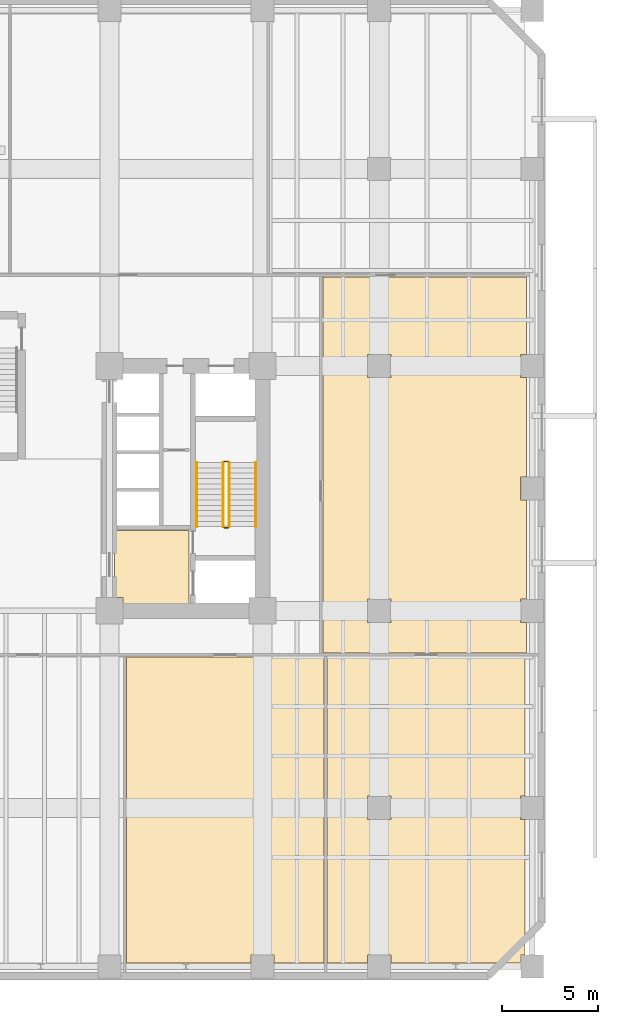
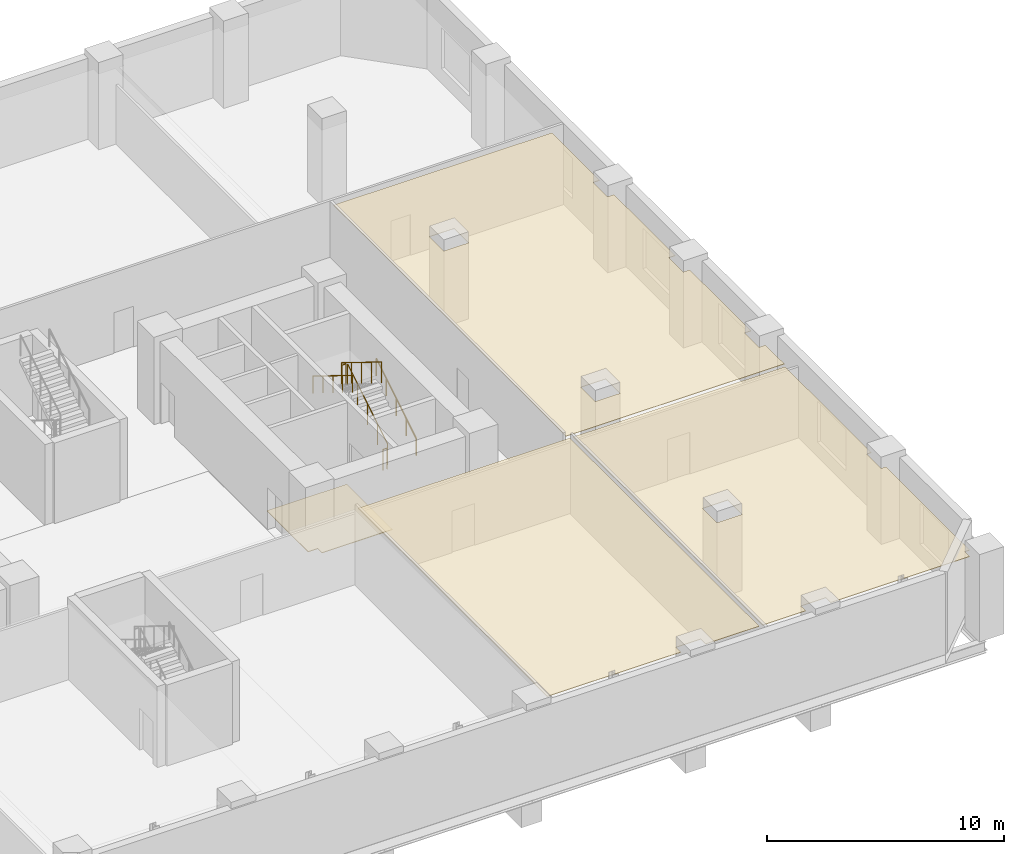
# One storey, part 12 of 15: 6 railings, 4 coverings.
"""IFC4 building model written with IfcOpenShell, lengths in metres."""

from ifc_helpers import new_model, si_unit, direction, frame, origin, origin_2d, place, context, subcontext, project, spatial, polyline, circle, outline, extrude, material, layer, layer_set, type_object, element, save


model = new_model("IFC4")

# Units and contexts
model_context = context("Model", 3, precision=1e-05, world=origin(), true_north=direction((0.0, 1.0)))
body_context = subcontext(model_context, "Body", "Model", "MODEL_VIEW")
ifc_project = project(units=[si_unit("LENGTHUNIT", "METRE"), si_unit("AREAUNIT", "SQUARE_METRE"), si_unit("VOLUMEUNIT", "CUBIC_METRE"), si_unit("PLANEANGLEUNIT", "RADIAN"), si_unit("MASSUNIT", "GRAM", prefix="KILO")], contexts=[model_context])

# Site, building, storey
site_placement = place(None, origin())
site = spatial("IfcSite", under=ifc_project, at=site_placement, CompositionType="ELEMENT")
building_placement = place(site_placement, origin())
building = spatial("IfcBuilding", under=site, at=building_placement, Name="Kranthara Brick Stack", CompositionType="ELEMENT")
storey_placement = place(building_placement, frame((0.0, 0.0, 5.39990234375)))
storey = spatial("IfcBuildingStorey", under=building, at=storey_placement, Name="L01", CompositionType="ELEMENT", Elevation=5.39990234375)

# Coverings
ifc_material_1 = material(Name="Perforated mineral-fibre acoustic ceiling tile", Category="other")
ifc_layer_1 = layer(ifc_material_1, 0.02490234375)
ifc_layer_set_1 = layer_set([ifc_layer_1], Name="Perforated mineral-fibre acoustic ceiling tile")
covering_type_1 = type_object("IfcCoveringType", Name="COV-CEIL-ACOUSTIC", PredefinedType="CEILING", material=ifc_layer_set_1)
covering_1_placement = place(storey_placement, frame((0.0, 0.0, 3.91015625)))
element("IfcCovering", 1, at=covering_1_placement, inside=storey, type_object=covering_type_1, Name="L01 Executive Seminar Room Acoustic Ceiling", PredefinedType="CEILING", context=body_context, shape_type="SweptSolid", body=[
    extrude(outline(polyline([(36.080078125, 2.39990234375), (36.080078125, 18.39990234375), (46.419921875, 18.39990234375), (46.419921875, 2.39990234375), (43.81005859375, 2.39990234375), (43.81005859375, 2.81005859375), (42.590087890625, 2.81005859375), (42.590087890625, 2.39990234375), (36.080078125, 2.39990234375)])), origin(), (0.0, 0.0, 1.0), 0.02490234375),
])
covering_2_placement = place(storey_placement, frame((0.0, 0.0, 3.91015625)))
element("IfcCovering", 2, at=covering_2_placement, inside=storey, type_object=covering_type_1, Name="L01 Tech Media Lab Acoustic Ceiling", PredefinedType="CEILING", context=body_context, shape_type="SweptSolid", body=[
    extrude(outline(polyline([(56.919921875, 11.110107421875), (56.68994140625, 11.110107421875), (56.68994140625, 9.889892578125), (56.919921875, 9.889892578125), (56.919921875, 2.81005859375), (56.68994140625, 2.81005859375), (56.68994140625, 2.39990234375), (49.909912109375, 2.39990234375), (49.909912109375, 2.81005859375), (48.68994140625, 2.81005859375), (48.68994140625, 2.39990234375), (46.580078125, 2.39990234375), (46.580078125, 18.39990234375), (56.919921875, 18.39990234375), (56.919921875, 11.110107421875)]), holes=[polyline([(49.909912109375, 11.110107421875), (48.68994140625, 11.110107421875), (48.68994140625, 9.889892578125), (49.909912109375, 9.889892578125), (49.909912109375, 11.110107421875)])]), origin(), (0.0, 0.0, 1.0), 0.02490234375),
])
covering_3_placement = place(storey_placement, frame((0.0, 0.0, 3.91015625)))
element("IfcCovering", 3, at=covering_3_placement, inside=storey, type_object=covering_type_1, Name="L01 East Perimeter Office Studio Acoustic Ceiling", PredefinedType="CEILING", context=body_context, shape_type="SweptSolid", body=[
    extrude(outline(polyline([(57.0, 34.2099609375), (56.68994140625, 34.2099609375), (56.68994140625, 32.989990234375), (57.0, 32.989990234375), (57.0, 27.81005859375), (56.68994140625, 27.81005859375), (56.68994140625, 26.590087890625), (57.0, 26.590087890625), (57.0, 21.409912109375), (56.68994140625, 21.409912109375), (56.68994140625, 20.18994140625), (57.0, 20.18994140625), (57.0, 18.60009765625), (46.35009765625, 18.60009765625), (46.35009765625, 38.25), (57.0, 38.25), (57.0, 34.2099609375)]), holes=[polyline([(48.68994140625, 21.409912109375), (48.68994140625, 20.18994140625), (49.909912109375, 20.18994140625), (49.909912109375, 21.409912109375), (48.68994140625, 21.409912109375)]), polyline([(49.909912109375, 34.2099609375), (48.68994140625, 34.2099609375), (48.68994140625, 32.989990234375), (49.909912109375, 32.989990234375), (49.909912109375, 34.2099609375)])]), origin(), (0.0, 0.0, 1.0), 0.02490234375),
])
ifc_material_2 = material(Name="Honed terrazzo and porcelain floor finish", Category="stone")
ifc_layer_2 = layer(ifc_material_2, 0.030029296875)
ifc_layer_set_2 = layer_set([ifc_layer_2], Name="Honed terrazzo and porcelain floor finish")
covering_type_2 = type_object("IfcCoveringType", Name="COV-FLOR-STONE", PredefinedType="FLOORING", material=ifc_layer_set_2)
covering_4_placement = place(storey_placement, origin())
element("IfcCovering", 4, at=covering_4_placement, inside=storey, type_object=covering_type_2, Name="L01 Lift Lobby Stone Flooring", PredefinedType="FLOORING", context=body_context, shape_type="SweptSolid", body=[
    extrude(outline(polyline([(35.449951171875, 25.0), (39.35009765625, 25.0), (39.35009765625, 21.14990234375), (35.909912109375, 21.14990234375), (35.909912109375, 21.510009765625), (35.449951171875, 21.510009765625), (35.449951171875, 25.0)])), origin(), (0.0, 0.0, 1.0), 0.030029296875),
])

# Railings
ifc_material_3 = material(Name="Painted galvanized steel stair guardrail", Category="steel")
railing_type_1 = type_object("IfcRailingType", Name="RL-STAIR-GUARD-1100", PredefinedType="GUARDRAIL", material=ifc_material_3)
railing_1_placement = place(storey_placement, frame((41.449951171875, 25.199951171875, 0.173095703125)))
element("IfcRailing", 5, at=railing_1_placement, inside=storey, type_object=railing_type_1, Name="L01 ST02 stair guard 1", PredefinedType="GUARDRAIL", context=body_context, shape_type="SweptSolid", body=[
    extrude(circle(Radius=0.02392578125, at=origin_2d()), frame((0.0, 0.0, 1.076171875), z_axis=(0.0, 0.850623216509, 0.525775754039), x_axis=(-1.0, 0.0, 0.0)), (0.0, 0.0, 1.0), 3.9501953125),
    extrude(circle(Radius=0.02099609375, at=origin_2d()), origin(), (0.0, 0.0, 1.0), 1.052001953125),
    extrude(circle(Radius=0.02099609375, at=origin_2d()), frame((0.0, 0.840087890625, 0.519287109375)), (0.0, 0.0, 1.0), 1.052001953125),
    extrude(circle(Radius=0.02099609375, at=origin_2d()), frame((0.0, 1.68017578125, 1.03857421875)), (0.0, 0.0, 1.0), 1.052001953125),
    extrude(circle(Radius=0.02099609375, at=origin_2d()), frame((0.0, 2.52001953125, 1.5576171875)), (0.0, 0.0, 1.0), 1.052001953125),
    extrude(circle(Radius=0.02099609375, at=origin_2d()), frame((0.0, 3.360107421875, 2.076904296875)), (0.0, 0.0, 1.0), 1.052001953125),
])
railing_2_placement = place(storey_placement, frame((41.39990234375, 28.610107421875, 2.25)))
element("IfcRailing", 6, at=railing_2_placement, inside=storey, type_object=railing_type_1, Name="L01 ST02 stair guard 2", PredefinedType="GUARDRAIL", context=body_context, shape_type="SweptSolid", body=[
    extrude(circle(Radius=0.02392578125, at=origin_2d()), frame((0.0, 0.0, 1.076171875), z_axis=(-1.0, 0.0, 0.0), x_axis=(0.0, -1.0, 0.0)), (0.0, 0.0, 1.0), 0.199951171875),
    extrude(circle(Radius=0.02099609375, at=origin_2d()), origin(), (0.0, 0.0, 1.0), 1.052001953125),
    extrude(circle(Radius=0.02099609375, at=origin_2d()), frame((-0.199951171875, 0.0, 0.0)), (0.0, 0.0, 1.0), 1.052001953125),
])
railing_3_placement = place(storey_placement, frame((41.14990234375, 28.56005859375, 2.423095703125)))
element("IfcRailing", 7, at=railing_3_placement, inside=storey, type_object=railing_type_1, Name="L01 ST02 stair guard 3", PredefinedType="GUARDRAIL", context=body_context, shape_type="SweptSolid", body=[
    extrude(circle(Radius=0.02392578125, at=origin_2d()), frame((0.0, 0.0, 1.076171875), z_axis=(0.0, -0.850623216509, 0.525775754039), x_axis=(1.0, 0.0, 0.0)), (0.0, 0.0, 1.0), 3.9501953125),
    extrude(circle(Radius=0.02099609375, at=origin_2d()), origin(), (0.0, 0.0, 1.0), 1.052001953125),
    extrude(circle(Radius=0.02099609375, at=origin_2d()), frame((0.0, -0.840087890625, 0.519287109375)), (0.0, 0.0, 1.0), 1.052001953125),
    extrude(circle(Radius=0.02099609375, at=origin_2d()), frame((0.0, -1.68017578125, 1.03857421875)), (0.0, 0.0, 1.0), 1.052001953125),
    extrude(circle(Radius=0.02099609375, at=origin_2d()), frame((0.0, -2.52001953125, 1.5576171875)), (0.0, 0.0, 1.0), 1.052001953125),
    extrude(circle(Radius=0.02099609375, at=origin_2d()), frame((0.0, -3.360107421875, 2.076904296875)), (0.0, 0.0, 1.0), 1.052001953125),
])
railing_4_placement = place(storey_placement, frame((41.39990234375, 25.14990234375, 0.0)))
element("IfcRailing", 8, at=railing_4_placement, inside=storey, type_object=railing_type_1, Name="L01 ST02 stair guard 4", PredefinedType="GUARDRAIL", context=body_context, shape_type="SweptSolid", body=[
    extrude(circle(Radius=0.02392578125, at=origin_2d()), frame((0.0, 0.0, 1.076171875), z_axis=(-1.0, 0.0, 0.0), x_axis=(0.0, -1.0, 0.0)), (0.0, 0.0, 1.0), 0.199951171875),
    extrude(circle(Radius=0.02099609375, at=origin_2d()), origin(), (0.0, 0.0, 1.0), 1.052001953125),
    extrude(circle(Radius=0.02099609375, at=origin_2d()), frame((-0.199951171875, 0.0, 0.0)), (0.0, 0.0, 1.0), 1.052001953125),
])
ifc_material_4 = material(Name="Brushed stainless steel tubular handrail", Category="steel")
railing_type_2 = type_object("IfcRailingType", Name="RL-STAIR-HAND-900", PredefinedType="HANDRAIL", material=ifc_material_4)
railing_5_placement = place(storey_placement, frame((42.85009765625, 25.199951171875, 0.173095703125)))
element("IfcRailing", 9, at=railing_5_placement, inside=storey, type_object=railing_type_2, Name="L01 ST02 stair handrail 1", PredefinedType="HANDRAIL", context=body_context, shape_type="SweptSolid", body=[
    extrude(circle(Radius=0.02392578125, at=origin_2d()), frame((0.0, 0.0, 0.8759765625), z_axis=(0.0, 0.850623216509, 0.525775754039), x_axis=(-1.0, 0.0, 0.0)), (0.0, 0.0, 1.0), 3.9501953125),
    extrude(circle(Radius=0.02099609375, at=origin_2d()), origin(), (0.0, 0.0, 1.0), 0.851806640625),
    extrude(circle(Radius=0.02099609375, at=origin_2d()), frame((0.0, 0.840087890625, 0.519287109375)), (0.0, 0.0, 1.0), 0.851806640625),
    extrude(circle(Radius=0.02099609375, at=origin_2d()), frame((0.0, 1.68017578125, 1.03857421875)), (0.0, 0.0, 1.0), 0.851806640625),
    extrude(circle(Radius=0.02099609375, at=origin_2d()), frame((0.0, 2.52001953125, 1.5576171875)), (0.0, 0.0, 1.0), 0.851806640625),
    extrude(circle(Radius=0.02099609375, at=origin_2d()), frame((0.0, 3.360107421875, 2.076904296875)), (0.0, 0.0, 1.0), 0.851806640625),
])
railing_6_placement = place(storey_placement, frame((39.75, 28.56005859375, 2.423095703125)))
element("IfcRailing", 10, at=railing_6_placement, inside=storey, type_object=railing_type_2, Name="L01 ST02 stair handrail 2", PredefinedType="HANDRAIL", context=body_context, shape_type="SweptSolid", body=[
    extrude(circle(Radius=0.02392578125, at=origin_2d()), frame((0.0, 0.0, 0.8759765625), z_axis=(0.0, -0.850623216509, 0.525775754039), x_axis=(1.0, 0.0, 0.0)), (0.0, 0.0, 1.0), 3.9501953125),
    extrude(circle(Radius=0.02099609375, at=origin_2d()), origin(), (0.0, 0.0, 1.0), 0.851806640625),
    extrude(circle(Radius=0.02099609375, at=origin_2d()), frame((0.0, -0.840087890625, 0.519287109375)), (0.0, 0.0, 1.0), 0.851806640625),
    extrude(circle(Radius=0.02099609375, at=origin_2d()), frame((0.0, -1.68017578125, 1.03857421875)), (0.0, 0.0, 1.0), 0.851806640625),
    extrude(circle(Radius=0.02099609375, at=origin_2d()), frame((0.0, -2.52001953125, 1.5576171875)), (0.0, 0.0, 1.0), 0.851806640625),
    extrude(circle(Radius=0.02099609375, at=origin_2d()), frame((0.0, -3.360107421875, 2.076904296875)), (0.0, 0.0, 1.0), 0.851806640625),
])

save(model, "model.ifc")
